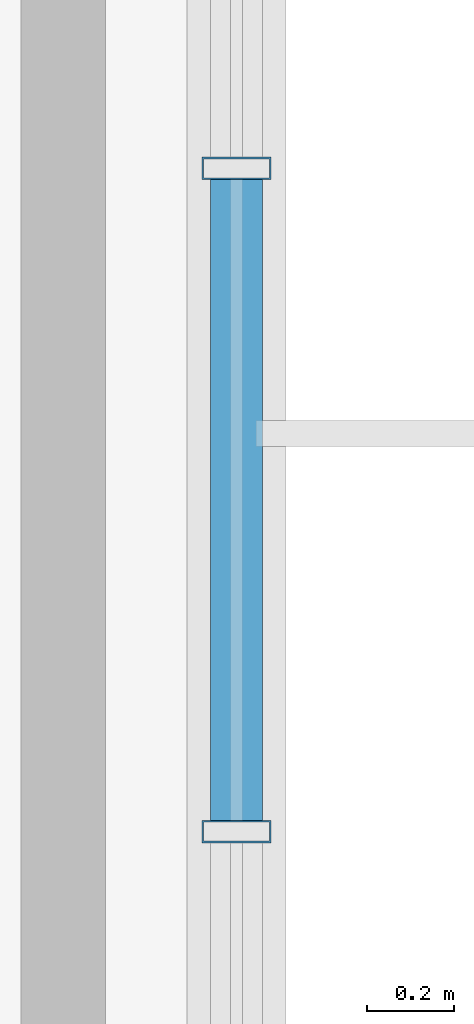
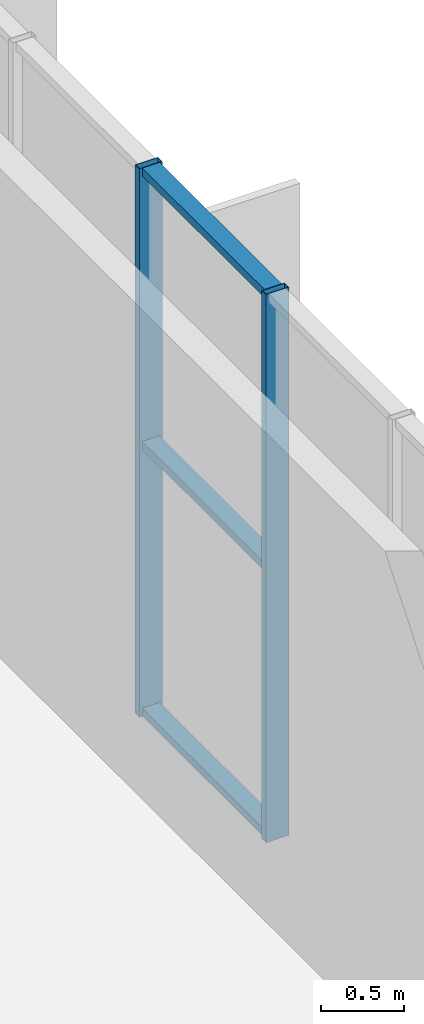
# One storey, part 54 of 324: 5 members, 1 element without a shape of its own.
"""IFC4 building model written with IfcOpenShell, lengths in metres."""

from ifc_helpers import new_model, si_unit, direction, frame, origin, origin_2d, place, context, subcontext, project, spatial, hollow_rectangle, extrude, material, layer, layer_set, material_profile, profile_set, type_object, element, aggregate, save


model = new_model("IFC4")

# Units and contexts
model_context = context("Model", 3, precision=1e-05, world=origin(), true_north=direction((0.0, 1.0)))
body_context = subcontext(model_context, "Body", "Model", "MODEL_VIEW")
ifc_project = project(units=[si_unit("LENGTHUNIT", "METRE"), si_unit("AREAUNIT", "SQUARE_METRE"), si_unit("VOLUMEUNIT", "CUBIC_METRE"), si_unit("PLANEANGLEUNIT", "RADIAN"), si_unit("MASSUNIT", "GRAM", prefix="KILO")], contexts=[model_context])

# Site, building, storey
site_placement = place(None, origin())
site = spatial("IfcSite", under=ifc_project, at=site_placement, CompositionType="ELEMENT")
building_placement = place(site_placement, origin())
building = spatial("IfcBuilding", under=site, at=building_placement, Name="Solvenia Promenade Tram Depot", CompositionType="ELEMENT")
storey_placement = place(building_placement, frame((0.0, 0.0, 4.5)))
storey = spatial("IfcBuildingStorey", under=building, at=storey_placement, Name="L01", CompositionType="ELEMENT", Elevation=4.5)

# Curtain wall, members
ifc_material = material(Name="Anodized aluminium AW-6063 T6", Category="aluminium")
ifc_layer = layer(ifc_material, 0.1201171875, Name="Anodized aluminium AW-6063 T6", Category="aluminium")
ifc_layer_set = layer_set([ifc_layer], Name="Anodized aluminium AW-6063 T6")
curtain_wall_type = type_object("IfcCurtainWallType", Name="CW-Wash-1500", PredefinedType="NOTDEFINED", material=ifc_layer_set)
curtain_wall_placement = place(storey_placement, origin())
curtain_wall = element("IfcCurtainWall", 1, at=curtain_wall_placement, inside=storey, type_object=curtain_wall_type, Name="Curtain Wall CW-V3-E-L1-3", PredefinedType="NOTDEFINED")
ifc_material_profile_1 = material_profile(ifc_material, hollow_rectangle(XDim=0.159912109375, YDim=0.052001953125, WallThickness=0.00390625, at=origin_2d()), Name="ALU-M1", Category="aluminium")
ifc_profile_set_1 = profile_set([ifc_material_profile_1], Name="Anodized aluminium AW-6063 T6")
member_type_1 = type_object("IfcMemberType", Name="CWM-Mullion-1", PredefinedType="MULLION", material=ifc_profile_set_1)
member_1_placement = place(storey_placement, frame((45.0, 56.67333984375, 0.0), z_axis=(0.0, 0.0, 1.0), x_axis=(-1.0, 0.0, 0.0)))
member_1 = element("IfcMember", 2, at=member_1_placement, type_object=member_type_1, Name="CW-10 mullion 4", PredefinedType="MULLION", context=body_context, shape_type="SweptSolid", body=[
    extrude(hollow_rectangle(XDim=0.159912109375, YDim=0.052001953125, WallThickness=0.00390625, at=origin_2d()), origin(), (0.0, 0.0, 1.0), 4.050048828125),
])
member_2_placement = place(storey_placement, frame((45.0, 58.204345703125, 0.0), z_axis=(0.0, 0.0, 1.0), x_axis=(-1.0, 0.0, 0.0)))
member_2 = element("IfcMember", 3, at=member_2_placement, type_object=member_type_1, Name="CW-10 mullion 5", PredefinedType="MULLION", context=body_context, shape_type="SweptSolid", body=[
    extrude(hollow_rectangle(XDim=0.159912109375, YDim=0.052001953125, WallThickness=0.00390625, at=origin_2d()), origin(), (0.0, 0.0, 1.0), 4.050048828125),
])
ifc_material_profile_2 = material_profile(ifc_material, hollow_rectangle(XDim=0.1201171875, YDim=0.06005859375, WallThickness=0.00390625, at=origin_2d()), Name="ALU-T1", Category="aluminium")
ifc_profile_set_2 = profile_set([ifc_material_profile_2], Name="Anodized aluminium AW-6063 T6")
member_type_2 = type_object("IfcMemberType", Name="CWT-Transom-1", PredefinedType="USERDEFINED", material=ifc_profile_set_2)
member_3_placement = place(storey_placement, frame((45.0, 56.69921875, 0.030029296875), z_axis=(0.0, 1.0, 0.0), x_axis=(-1.0, 0.0, 0.0)))
member_3 = element("IfcMember", 4, at=member_3_placement, type_object=member_type_2, Name="CW-10 transom 4.1", ObjectType="TRANSOM", PredefinedType="USERDEFINED", context=body_context, shape_type="SweptSolid", body=[
    extrude(hollow_rectangle(XDim=0.1201171875, YDim=0.06005859375, WallThickness=0.00390625, at=origin_2d()), origin(), (0.0, 0.0, 1.0), 1.479248046875),
])
member_4_placement = place(storey_placement, frame((45.0, 56.69921875, 2.0), z_axis=(0.0, 1.0, 0.0), x_axis=(-1.0, 0.0, 0.0)))
member_4 = element("IfcMember", 5, at=member_4_placement, type_object=member_type_2, Name="CW-10 transom 4.2", ObjectType="TRANSOM", PredefinedType="USERDEFINED", context=body_context, shape_type="SweptSolid", body=[
    extrude(hollow_rectangle(XDim=0.1201171875, YDim=0.06005859375, WallThickness=0.00390625, at=origin_2d()), origin(), (0.0, 0.0, 1.0), 1.479248046875),
])
member_5_placement = place(storey_placement, frame((45.0, 56.69921875, 4.02001953125), z_axis=(0.0, 1.0, 0.0), x_axis=(-1.0, 0.0, 0.0)))
member_5 = element("IfcMember", 6, at=member_5_placement, type_object=member_type_2, Name="CW-10 transom 4.3", ObjectType="TRANSOM", PredefinedType="USERDEFINED", context=body_context, shape_type="SweptSolid", body=[
    extrude(hollow_rectangle(XDim=0.1201171875, YDim=0.06005859375, WallThickness=0.00390625, at=origin_2d()), origin(), (0.0, 0.0, 1.0), 1.479248046875),
])
aggregate(curtain_wall, [member_1, member_2, member_3, member_4, member_5])

save(model, "model.ifc")
